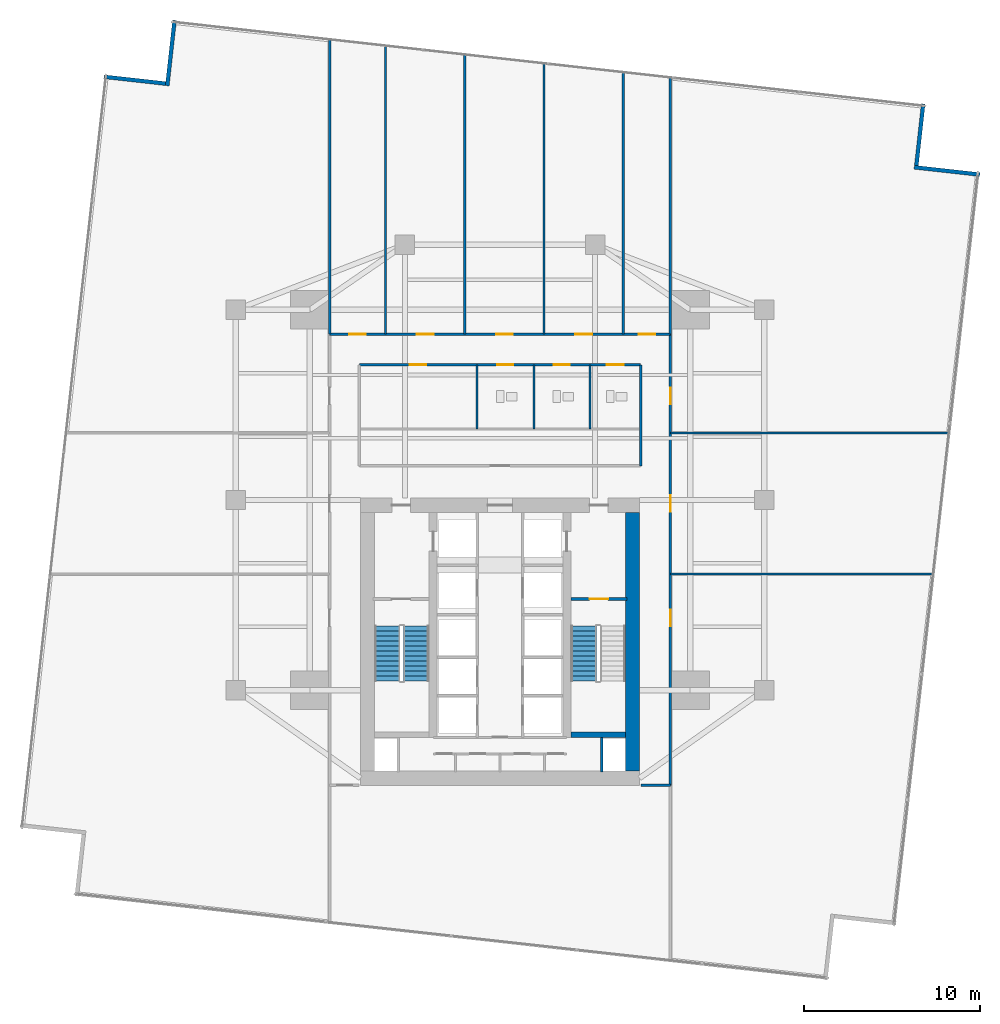
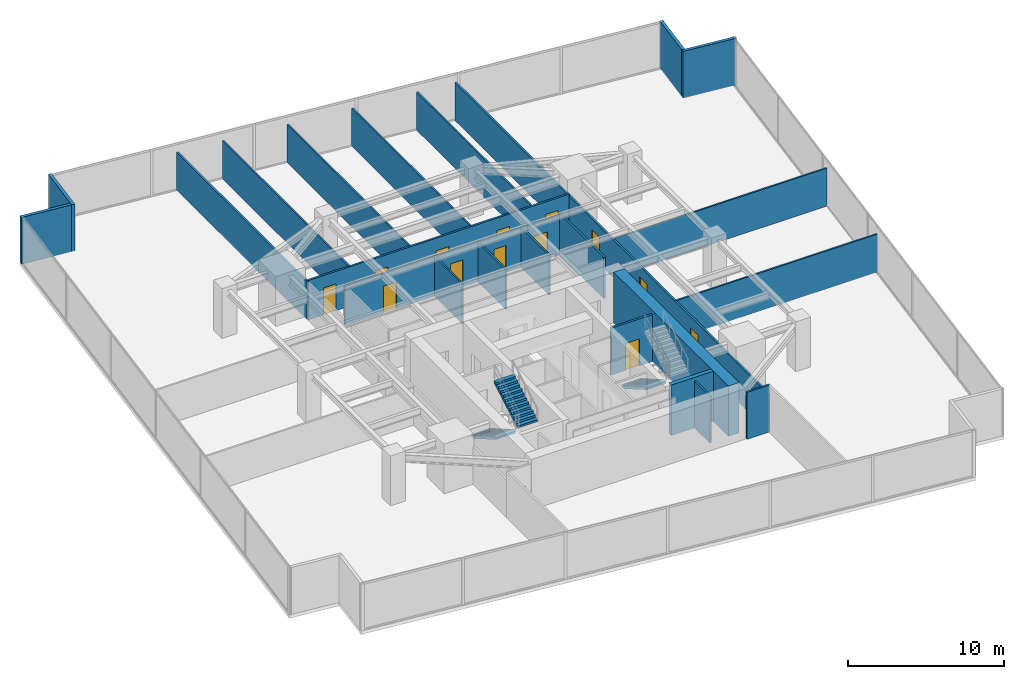
# One storey, part 26 of 31: 24 walls, 13 doors, 3 stair flights, 13 openings, 2 elements without a shape of their own.
"""IFC4 building model written with IfcOpenShell, lengths in metres."""

from ifc_helpers import new_model, si_unit, direction, frame, frame_2d, origin, place, context, subcontext, project, spatial, polyline, rectangle, outline, extrude, material, layer, layer_set, type_object, element, fill, aggregate, save


model = new_model("IFC4")

# Units and contexts
model_context = context("Model", 3, precision=1e-05, world=origin(), true_north=direction((0.0, 1.0)))
body_context = subcontext(model_context, "Body", "Model", "MODEL_VIEW")
ifc_project = project(units=[si_unit("LENGTHUNIT", "METRE"), si_unit("AREAUNIT", "SQUARE_METRE"), si_unit("VOLUMEUNIT", "CUBIC_METRE"), si_unit("PLANEANGLEUNIT", "RADIAN"), si_unit("MASSUNIT", "GRAM", prefix="KILO")], contexts=[model_context])

# Site, building, storey
site_placement = place(None, origin())
site = spatial("IfcSite", under=ifc_project, at=site_placement, CompositionType="ELEMENT")
building_placement = place(site_placement, origin())
building = spatial("IfcBuilding", under=site, at=building_placement, Name="Krantzveldt Concourse Tower", CompositionType="ELEMENT")
storey_placement = place(building_placement, frame((0.0, 0.0, 56.60009765625)))
storey = spatial("IfcBuildingStorey", under=building, at=storey_placement, Name="L13", CompositionType="ELEMENT", Elevation=56.60009765625)

# Walls
ifc_material_1 = material(Name="Anodised aluminium 6063-T6", Category="aluminium")
ifc_layer_1 = layer(ifc_material_1, 0.219970703125, Name="Anodised aluminium 6063-T6", Category="aluminium")
ifc_layer_set_1 = layer_set([ifc_layer_1], Name="Anodised aluminium 6063-T6 (WL-EXT-NOTCH220)")
wall_type_1 = type_object("IfcWallType", Name="WL-EXT-NOTCH220", PredefinedType="ELEMENTEDWALL", material=ifc_layer_set_1)
wall_1_placement = place(storey_placement, frame((17.008056640625, 50.344970703125, 0.0), z_axis=(0.0, 0.0, 1.0), x_axis=(-0.993817675948, 0.111024443135, 0.0)))
element("IfcWall", 1, at=wall_1_placement, inside=storey, type_object=wall_type_1, Name="EW-L13-NCH00", PredefinedType="ELEMENTEDWALL", context=body_context, shape_type="SweptSolid", body=[
    extrude(rectangle(XDim=3.52490234375, YDim=0.219970703125, at=frame_2d((1.762451171875, 0.0))), origin(), (0.0, 0.0, 1.0), 3.669921875),
])
wall_2_placement = place(storey_placement, frame((63.245361328125, 45.178955078125, 0.0), z_axis=(0.0, 0.0, 1.0), x_axis=(-0.99381117716, 0.111082600583, 0.0)))
element("IfcWall", 2, at=wall_2_placement, inside=storey, type_object=wall_type_1, Name="EW-L13-NCH08", PredefinedType="ELEMENTEDWALL", context=body_context, shape_type="SweptSolid", body=[
    extrude(rectangle(XDim=3.7451171875, YDim=0.219970703125, at=frame_2d((1.87255859375, 0.0))), origin(), (0.0, 0.0, 1.0), 3.669921875),
])
wall_3_placement = place(storey_placement, frame((59.64501953125, 45.69189453125, 0.0), z_axis=(0.0, 0.0, 1.0), x_axis=(0.111016801598, 0.993818529593, 0.0)))
element("IfcWall", 3, at=wall_3_placement, inside=storey, type_object=wall_type_1, Name="EW-L13-NCH09", PredefinedType="ELEMENTEDWALL", context=body_context, shape_type="SweptSolid", body=[
    extrude(rectangle(XDim=3.525146484375, YDim=0.219970703125, at=frame_2d((1.7626953125, 0.0))), origin(), (0.0, 0.0, 1.0), 3.669921875),
])
wall_4_placement = place(storey_placement, frame((17.52099609375, 53.9453125, 0.0), z_axis=(0.0, 0.0, 1.0), x_axis=(-0.111082600583, -0.99381117716, 0.0)))
element("IfcWall", 4, at=wall_4_placement, inside=storey, type_object=wall_type_1, Name="EW-L13-NCH11", PredefinedType="ELEMENTEDWALL", context=body_context, shape_type="SweptSolid", body=[
    extrude(rectangle(XDim=3.7451171875, YDim=0.219970703125, at=frame_2d((1.87255859375, 0.0))), origin(), (0.0, 0.0, 1.0), 3.669921875),
])
ifc_material_2 = material(Name="Fire-rated gypsum plasterboard on steel stud", Category="steel")
ifc_layer_2 = layer(ifc_material_2, 0.1201171875, Name="Fire-rated gypsum plasterboard on steel stud", Category="steel")
ifc_layer_set_2 = layer_set([ifc_layer_2], Name="Fire-rated gypsum plasterboard on steel stud (WL-PART-120)")
wall_type_2 = type_object("IfcWallType", Name="WL-PART-120", PredefinedType="PARTITIONING", material=ifc_layer_set_2)
for number, where, z_axis, x_axis, name in (
    (5, (37.919921875, 30.739990234375, 0.0), (0.0, 0.0, 1.0), (0.0, 1.0, 0.0), "WP-L13-WCD1"),
    (6, (41.1201171875, 30.739990234375, 0.0), (0.0, 0.0, 1.0), (0.0, 1.0, 0.0), "WP-L13-WCD2"),
    (7, (34.699951171875, 30.739990234375, 0.0), (0.0, 0.0, 1.0), (0.0, 1.0, 0.0), "WP-L13-WCD3"),
):
    element("IfcWall", number, at=place(storey_placement, frame(where, z_axis=z_axis, x_axis=x_axis)), inside=storey, type_object=wall_type_2, Name=name, PredefinedType="PARTITIONING", context=body_context, shape_type="SweptSolid", body=[
        extrude(rectangle(XDim=3.639892578125, YDim=0.1201171875, at=frame_2d((1.81982421875, 0.0))), origin(), (0.0, 0.0, 1.0), 3.119873046875),
    ])
wall_5_placement = place(storey_placement, frame((29.5, 36.1201171875, 0.0), z_axis=(0.0, 0.0, 1.0), x_axis=(0.0, 1.0, 0.0)))
element("IfcWall", 8, at=wall_5_placement, inside=storey, type_object=wall_type_2, Name="WP-L13-ND1", PredefinedType="PARTITIONING", context=body_context, shape_type="SweptSolid", body=[
    extrude(rectangle(XDim=16.37109375, YDim=0.1201171875, at=frame_2d((8.185546875, 0.0))), origin(), (0.0, 0.0, 1.0), 2.969970703125),
])
wall_6_placement = place(storey_placement, frame((34.0, 36.1201171875, 0.0), z_axis=(0.0, 0.0, 1.0), x_axis=(0.0, 1.0, 0.0)))
element("IfcWall", 9, at=wall_6_placement, inside=storey, type_object=wall_type_2, Name="WP-L13-ND2", PredefinedType="PARTITIONING", context=body_context, shape_type="SweptSolid", body=[
    extrude(rectangle(XDim=15.8681640625, YDim=0.1201171875, at=frame_2d((7.93408203125, 0.0))), origin(), (0.0, 0.0, 1.0), 2.969970703125),
])
wall_7_placement = place(storey_placement, frame((38.5, 36.1201171875, 0.0), z_axis=(0.0, 0.0, 1.0), x_axis=(0.0, 1.0, 0.0)))
element("IfcWall", 10, at=wall_7_placement, inside=storey, type_object=wall_type_2, Name="WP-L13-ND3", PredefinedType="PARTITIONING", context=body_context, shape_type="SweptSolid", body=[
    extrude(rectangle(XDim=15.365478515625, YDim=0.1201171875, at=frame_2d((7.6826171875, 0.0))), origin(), (0.0, 0.0, 1.0), 2.969970703125),
])
wall_8_placement = place(storey_placement, frame((43.0, 36.1201171875, 0.0), z_axis=(0.0, 0.0, 1.0), x_axis=(0.0, 1.0, 0.0)))
element("IfcWall", 11, at=wall_8_placement, inside=storey, type_object=wall_type_2, Name="WP-L13-ND4", PredefinedType="PARTITIONING", context=body_context, shape_type="SweptSolid", body=[
    extrude(rectangle(XDim=14.86279296875, YDim=0.1201171875, at=frame_2d((7.431396484375, 0.0))), origin(), (0.0, 0.0, 1.0), 2.969970703125),
])
wall_9_placement = place(storey_placement, frame((45.679931640625, 22.5, 0.0), z_axis=(0.0, 0.0, 1.0), x_axis=(1.0, 0.0, 0.0)))
element("IfcWall", 12, at=wall_9_placement, inside=storey, type_object=wall_type_2, Name="WP-L13-ED1", PredefinedType="PARTITIONING", context=body_context, shape_type="SweptSolid", body=[
    extrude(rectangle(XDim=14.915771484375, YDim=0.1201171875, at=frame_2d((7.4580078125, 0.0))), origin(), (0.0, 0.0, 1.0), 2.969970703125),
])
wall_10_placement = place(storey_placement, frame((45.679931640625, 30.5, 0.0), z_axis=(0.0, 0.0, 1.0), x_axis=(1.0, 0.0, 0.0)))
element("IfcWall", 13, at=wall_10_placement, inside=storey, type_object=wall_type_2, Name="WP-L13-ED2", PredefinedType="PARTITIONING", context=body_context, shape_type="SweptSolid", body=[
    extrude(rectangle(XDim=15.8095703125, YDim=0.1201171875, at=frame_2d((7.90478515625, 0.0))), origin(), (0.0, 0.0, 1.0), 2.969970703125),
])

# Wall, openings, doors
ifc_layer_3 = layer(ifc_material_2, 0.139892578125, Name="Fire-rated gypsum plasterboard on steel stud", Category="steel")
ifc_layer_set_3 = layer_set([ifc_layer_3], Name="Fire-rated gypsum plasterboard on steel stud (WL-PART-140)")
wall_type_3 = type_object("IfcWallType", Name="WL-PART-140", PredefinedType="PARTITIONING", material=ifc_layer_set_3)
wall_11_placement = place(storey_placement, frame((28.02001953125, 34.3798828125, 0.0), z_axis=(0.0, 0.0, 1.0), x_axis=(1.0, 0.0, 0.0)))
wall_11 = element("IfcWall", 14, at=wall_11_placement, inside=storey, type_object=wall_type_3, Name="WP-L13-ISLN", PredefinedType="PARTITIONING", context=body_context, shape_type="SweptSolid", body=[
    extrude(rectangle(XDim=15.9599609375, YDim=0.139892578125, at=frame_2d((7.97998046875, 0.0))), origin(), (0.0, 0.0, 1.0), 3.079833984375),
])
opening_1_placement = place(wall_11_placement, frame((7.830078125, 0.0, 0.0)))
opening_1 = element("IfcOpeningElement", 15, at=opening_1_placement, cuts=wall_11, Name="Opening D-IN090", PredefinedType="OPENING", context=body_context, shape_type="SweptSolid", body=[
    extrude(rectangle(XDim=0.89990234375, YDim=2.10009765625, at=frame_2d((0.449951171875, 1.050048828125))), frame((0.0, 0.080078125, 0.0), z_axis=(0.0, -1.0, 0.0), x_axis=(1.0, 0.0, 0.0)), (0.0, 0.0, 1.0), 0.159912109375),
])
opening_2_placement = place(wall_11_placement, frame((11.030029296875, 0.0, 0.0)))
opening_2 = element("IfcOpeningElement", 16, at=opening_2_placement, cuts=wall_11, Name="Opening D-IN090", PredefinedType="OPENING", context=body_context, shape_type="SweptSolid", body=[
    extrude(rectangle(XDim=0.89990234375, YDim=2.10009765625, at=frame_2d((0.449951171875, 1.050048828125))), frame((0.0, 0.080078125, 0.0), z_axis=(0.0, -1.0, 0.0), x_axis=(1.0, 0.0, 0.0)), (0.0, 0.0, 1.0), 0.159912109375),
])
opening_3_placement = place(wall_11_placement, frame((14.054931640625, 0.0, 0.0)))
opening_3 = element("IfcOpeningElement", 17, at=opening_3_placement, cuts=wall_11, Name="Opening D-IN095", PredefinedType="OPENING", context=body_context, shape_type="SweptSolid", body=[
    extrude(rectangle(XDim=0.949951171875, YDim=2.10009765625, at=frame_2d((0.47509765625, 1.050048828125))), frame((0.0, 0.080078125, 0.0), z_axis=(0.0, -1.0, 0.0), x_axis=(1.0, 0.0, 0.0)), (0.0, 0.0, 1.0), 0.159912109375),
])
opening_4_placement = place(wall_11_placement, frame((2.85498046875, 0.0, 0.0)))
opening_4 = element("IfcOpeningElement", 18, at=opening_4_placement, cuts=wall_11, Name="Opening D-IN095", PredefinedType="OPENING", context=body_context, shape_type="SweptSolid", body=[
    extrude(rectangle(XDim=0.949951171875, YDim=2.10009765625, at=frame_2d((0.47509765625, 1.050048828125))), frame((0.0, 0.080078125, 0.0), z_axis=(0.0, -1.0, 0.0), x_axis=(1.0, 0.0, 0.0)), (0.0, 0.0, 1.0), 0.159912109375),
])
ifc_material_3 = material(Name="Hardwood timber", Category="wood")
door_type_1 = type_object("IfcDoorType", Name="DR-INT-900", OperationType="SINGLE_SWING_LEFT", PredefinedType="DOOR", material=ifc_material_3)
door_1_placement = place(opening_1_placement, origin())
door_1 = element("IfcDoor", 19, at=door_1_placement, inside=storey, type_object=door_type_1, Name="DR-L13-WCM", OperationType="SINGLE_SWING_LEFT", OverallHeight=2.10009765625, OverallWidth=0.89990234375, PredefinedType="DOOR", context=body_context, shape_type="SweptSolid", body=[
    extrude(rectangle(XDim=0.89990234375, YDim=2.10009765625, at=frame_2d((0.449951171875, 1.050048828125))), frame((0.0, 0.02490234375, 0.0), z_axis=(0.0, -1.0, 0.0), x_axis=(1.0, 0.0, 0.0)), (0.0, 0.0, 1.0), 0.050048828125),
])
fill(opening_1, door_1)
door_2_placement = place(opening_2_placement, origin())
door_2 = element("IfcDoor", 20, at=door_2_placement, inside=storey, type_object=door_type_1, Name="DR-L13-WCF", OperationType="SINGLE_SWING_RIGHT", OverallHeight=2.10009765625, OverallWidth=0.89990234375, PredefinedType="DOOR", context=body_context, shape_type="SweptSolid", body=[
    extrude(rectangle(XDim=0.89990234375, YDim=2.10009765625, at=frame_2d((0.449951171875, 1.050048828125))), frame((0.0, 0.02490234375, 0.0), z_axis=(0.0, -1.0, 0.0), x_axis=(1.0, 0.0, 0.0)), (0.0, 0.0, 1.0), 0.050048828125),
])
fill(opening_2, door_2)
door_type_2 = type_object("IfcDoorType", Name="DR-INT-950", OperationType="SINGLE_SWING_LEFT", PredefinedType="DOOR", material=ifc_material_3)
door_3_placement = place(opening_3_placement, origin())
door_3 = element("IfcDoor", 21, at=door_3_placement, inside=storey, type_object=door_type_2, Name="DR-L13-WCA", OperationType="SINGLE_SWING_LEFT", OverallHeight=2.10009765625, OverallWidth=0.949951171875, PredefinedType="DOOR", context=body_context, shape_type="SweptSolid", body=[
    extrude(rectangle(XDim=0.949951171875, YDim=2.10009765625, at=frame_2d((0.47509765625, 1.050048828125))), frame((0.0, 0.02490234375, 0.0), z_axis=(0.0, -1.0, 0.0), x_axis=(1.0, 0.0, 0.0)), (0.0, 0.0, 1.0), 0.050048828125),
])
fill(opening_3, door_3)
door_4_placement = place(opening_4_placement, origin())
door_4 = element("IfcDoor", 22, at=door_4_placement, inside=storey, type_object=door_type_2, Name="DR-L13-PNT", OperationType="SINGLE_SWING_RIGHT", OverallHeight=2.10009765625, OverallWidth=0.949951171875, PredefinedType="DOOR", context=body_context, shape_type="SweptSolid", body=[
    extrude(rectangle(XDim=0.949951171875, YDim=2.10009765625, at=frame_2d((0.47509765625, 1.050048828125))), frame((0.0, 0.02490234375, 0.0), z_axis=(0.0, -1.0, 0.0), x_axis=(1.0, 0.0, 0.0)), (0.0, 0.0, 1.0), 0.050048828125),
])
fill(opening_4, door_4)

# Wall
wall_12_placement = place(storey_placement, frame((43.97998046875, 28.639892578125, 0.0), z_axis=(0.0, 0.0, 1.0), x_axis=(0.0, 1.0, 0.0)))
element("IfcWall", 23, at=wall_12_placement, inside=storey, type_object=wall_type_3, Name="WP-L13-ISLE", PredefinedType="PARTITIONING", context=body_context, shape_type="SweptSolid", body=[
    extrude(rectangle(XDim=5.739990234375, YDim=0.139892578125, at=frame_2d((2.8701171875, 0.0))), origin(), (0.0, 0.0, 1.0), 3.219970703125),
])

# Wall, openings, doors
wall_13_placement = place(storey_placement, frame((26.320068359375, 36.1201171875, 0.0), z_axis=(0.0, 0.0, 1.0), x_axis=(1.0, 0.0, 0.0)))
wall_13 = element("IfcWall", 24, at=wall_13_placement, inside=storey, type_object=wall_type_3, Name="WP-L13-CTOP", PredefinedType="PARTITIONING", context=body_context, shape_type="SweptSolid", body=[
    extrude(rectangle(XDim=19.35986328125, YDim=0.139892578125, at=frame_2d((9.679931640625, 0.0))), origin(), (0.0, 0.0, 1.0), 3.079833984375),
])
opening_5_placement = place(wall_13_placement, frame((1.114990234375, 0.0, 0.0)))
opening_5 = element("IfcOpeningElement", 25, at=opening_5_placement, cuts=wall_13, Name="Opening D-IN095", PredefinedType="OPENING", context=body_context, shape_type="SweptSolid", body=[
    extrude(rectangle(XDim=0.949951171875, YDim=2.10009765625, at=frame_2d((0.47509765625, 1.050048828125))), frame((0.0, 0.080078125, 0.0), z_axis=(0.0, -1.0, 0.0), x_axis=(1.0, 0.0, 0.0)), (0.0, 0.0, 1.0), 0.159912109375),
])
opening_6_placement = place(wall_13_placement, frame((4.955078125, 0.0, 0.0)))
opening_6 = element("IfcOpeningElement", 26, at=opening_6_placement, cuts=wall_13, Name="Opening D-IN095", PredefinedType="OPENING", context=body_context, shape_type="SweptSolid", body=[
    extrude(rectangle(XDim=0.949951171875, YDim=2.10009765625, at=frame_2d((0.47509765625, 1.050048828125))), frame((0.0, 0.080078125, 0.0), z_axis=(0.0, -1.0, 0.0), x_axis=(1.0, 0.0, 0.0)), (0.0, 0.0, 1.0), 0.159912109375),
])
opening_7_placement = place(wall_13_placement, frame((9.455078125, 0.0, 0.0)))
opening_7 = element("IfcOpeningElement", 27, at=opening_7_placement, cuts=wall_13, Name="Opening D-IN095", PredefinedType="OPENING", context=body_context, shape_type="SweptSolid", body=[
    extrude(rectangle(XDim=0.949951171875, YDim=2.10009765625, at=frame_2d((0.47509765625, 1.050048828125))), frame((0.0, 0.080078125, 0.0), z_axis=(0.0, -1.0, 0.0), x_axis=(1.0, 0.0, 0.0)), (0.0, 0.0, 1.0), 0.159912109375),
])
opening_8_placement = place(wall_13_placement, frame((13.955078125, 0.0, 0.0)))
opening_8 = element("IfcOpeningElement", 28, at=opening_8_placement, cuts=wall_13, Name="Opening D-IN095", PredefinedType="OPENING", context=body_context, shape_type="SweptSolid", body=[
    extrude(rectangle(XDim=0.949951171875, YDim=2.10009765625, at=frame_2d((0.47509765625, 1.050048828125))), frame((0.0, 0.080078125, 0.0), z_axis=(0.0, -1.0, 0.0), x_axis=(1.0, 0.0, 0.0)), (0.0, 0.0, 1.0), 0.159912109375),
])
opening_9_placement = place(wall_13_placement, frame((17.544921875, 0.0, 0.0)))
opening_9 = element("IfcOpeningElement", 29, at=opening_9_placement, cuts=wall_13, Name="Opening D-IN095", PredefinedType="OPENING", context=body_context, shape_type="SweptSolid", body=[
    extrude(rectangle(XDim=0.949951171875, YDim=2.10009765625, at=frame_2d((0.47509765625, 1.050048828125))), frame((0.0, 0.080078125, 0.0), z_axis=(0.0, -1.0, 0.0), x_axis=(1.0, 0.0, 0.0)), (0.0, 0.0, 1.0), 0.159912109375),
])
door_5_placement = place(opening_5_placement, origin())
door_5 = element("IfcDoor", 30, at=door_5_placement, inside=storey, type_object=door_type_2, Name="DR-L13-NR1", OperationType="SINGLE_SWING_LEFT", OverallHeight=2.10009765625, OverallWidth=0.949951171875, PredefinedType="DOOR", context=body_context, shape_type="SweptSolid", body=[
    extrude(rectangle(XDim=0.949951171875, YDim=2.10009765625, at=frame_2d((0.47509765625, 1.050048828125))), frame((0.0, 0.02490234375, 0.0), z_axis=(0.0, -1.0, 0.0), x_axis=(1.0, 0.0, 0.0)), (0.0, 0.0, 1.0), 0.050048828125),
])
fill(opening_5, door_5)
door_6_placement = place(opening_6_placement, origin())
door_6 = element("IfcDoor", 31, at=door_6_placement, inside=storey, type_object=door_type_2, Name="DR-L13-NR2", OperationType="SINGLE_SWING_LEFT", OverallHeight=2.10009765625, OverallWidth=0.949951171875, PredefinedType="DOOR", context=body_context, shape_type="SweptSolid", body=[
    extrude(rectangle(XDim=0.949951171875, YDim=2.10009765625, at=frame_2d((0.47509765625, 1.050048828125))), frame((0.0, 0.02490234375, 0.0), z_axis=(0.0, -1.0, 0.0), x_axis=(1.0, 0.0, 0.0)), (0.0, 0.0, 1.0), 0.050048828125),
])
fill(opening_6, door_6)
door_7_placement = place(opening_7_placement, origin())
door_7 = element("IfcDoor", 32, at=door_7_placement, inside=storey, type_object=door_type_2, Name="DR-L13-NR3", OperationType="SINGLE_SWING_LEFT", OverallHeight=2.10009765625, OverallWidth=0.949951171875, PredefinedType="DOOR", context=body_context, shape_type="SweptSolid", body=[
    extrude(rectangle(XDim=0.949951171875, YDim=2.10009765625, at=frame_2d((0.47509765625, 1.050048828125))), frame((0.0, 0.02490234375, 0.0), z_axis=(0.0, -1.0, 0.0), x_axis=(1.0, 0.0, 0.0)), (0.0, 0.0, 1.0), 0.050048828125),
])
fill(opening_7, door_7)
door_8_placement = place(opening_8_placement, origin())
door_8 = element("IfcDoor", 33, at=door_8_placement, inside=storey, type_object=door_type_2, Name="DR-L13-NR4", OperationType="SINGLE_SWING_LEFT", OverallHeight=2.10009765625, OverallWidth=0.949951171875, PredefinedType="DOOR", context=body_context, shape_type="SweptSolid", body=[
    extrude(rectangle(XDim=0.949951171875, YDim=2.10009765625, at=frame_2d((0.47509765625, 1.050048828125))), frame((0.0, 0.02490234375, 0.0), z_axis=(0.0, -1.0, 0.0), x_axis=(1.0, 0.0, 0.0)), (0.0, 0.0, 1.0), 0.050048828125),
])
fill(opening_8, door_8)
door_9_placement = place(opening_9_placement, origin())
door_9 = element("IfcDoor", 34, at=door_9_placement, inside=storey, type_object=door_type_2, Name="DR-L13-NR5", OperationType="SINGLE_SWING_LEFT", OverallHeight=2.10009765625, OverallWidth=0.949951171875, PredefinedType="DOOR", context=body_context, shape_type="SweptSolid", body=[
    extrude(rectangle(XDim=0.949951171875, YDim=2.10009765625, at=frame_2d((0.47509765625, 1.050048828125))), frame((0.0, 0.02490234375, 0.0), z_axis=(0.0, -1.0, 0.0), x_axis=(1.0, 0.0, 0.0)), (0.0, 0.0, 1.0), 0.050048828125),
])
fill(opening_9, door_9)

wall_14_placement = place(storey_placement, frame((45.679931640625, 10.5, 0.0), z_axis=(0.0, 0.0, 1.0), x_axis=(0.0, 1.0, 0.0)))
wall_14 = element("IfcWall", 35, at=wall_14_placement, inside=storey, type_object=wall_type_3, Name="WP-L13-CEAST", PredefinedType="PARTITIONING", context=body_context, shape_type="SweptSolid", body=[
    extrude(rectangle(XDim=25.6201171875, YDim=0.139892578125, at=frame_2d((12.81005859375, 0.0))), origin(), (0.0, 0.0, 1.0), 2.969970703125),
])
opening_10_placement = place(wall_14_placement, frame((9.02490234375, 0.0, 0.0)))
opening_10 = element("IfcOpeningElement", 36, at=opening_10_placement, cuts=wall_14, Name="Opening D-IN095", PredefinedType="OPENING", context=body_context, shape_type="SweptSolid", body=[
    extrude(rectangle(XDim=0.949951171875, YDim=2.10009765625, at=frame_2d((0.47509765625, 1.050048828125))), frame((0.0, 0.080078125, 0.0), z_axis=(0.0, -1.0, 0.0), x_axis=(1.0, 0.0, 0.0)), (0.0, 0.0, 1.0), 0.159912109375),
])
opening_11_placement = place(wall_14_placement, frame((15.52490234375, 0.0, 0.0)))
opening_11 = element("IfcOpeningElement", 37, at=opening_11_placement, cuts=wall_14, Name="Opening D-IN095", PredefinedType="OPENING", context=body_context, shape_type="SweptSolid", body=[
    extrude(rectangle(XDim=0.949951171875, YDim=2.10009765625, at=frame_2d((0.47509765625, 1.050048828125))), frame((0.0, 0.080078125, 0.0), z_axis=(0.0, -1.0, 0.0), x_axis=(1.0, 0.0, 0.0)), (0.0, 0.0, 1.0), 0.159912109375),
])
opening_12_placement = place(wall_14_placement, frame((21.625, 0.0, 0.0)))
opening_12 = element("IfcOpeningElement", 38, at=opening_12_placement, cuts=wall_14, Name="Opening D-IN095", PredefinedType="OPENING", context=body_context, shape_type="SweptSolid", body=[
    extrude(rectangle(XDim=0.949951171875, YDim=2.10009765625, at=frame_2d((0.47509765625, 1.050048828125))), frame((0.0, 0.080078125, 0.0), z_axis=(0.0, -1.0, 0.0), x_axis=(1.0, 0.0, 0.0)), (0.0, 0.0, 1.0), 0.159912109375),
])
door_10_placement = place(opening_10_placement, origin())
door_10 = element("IfcDoor", 39, at=door_10_placement, inside=storey, type_object=door_type_2, Name="DR-L13-ER1", OperationType="SINGLE_SWING_LEFT", OverallHeight=2.10009765625, OverallWidth=0.949951171875, PredefinedType="DOOR", context=body_context, shape_type="SweptSolid", body=[
    extrude(rectangle(XDim=0.949951171875, YDim=2.10009765625, at=frame_2d((0.47509765625, 1.050048828125))), frame((0.0, 0.02490234375, 0.0), z_axis=(0.0, -1.0, 0.0), x_axis=(1.0, 0.0, 0.0)), (0.0, 0.0, 1.0), 0.050048828125),
])
fill(opening_10, door_10)
door_11_placement = place(opening_11_placement, origin())
door_11 = element("IfcDoor", 40, at=door_11_placement, inside=storey, type_object=door_type_2, Name="DR-L13-ER2", OperationType="SINGLE_SWING_LEFT", OverallHeight=2.10009765625, OverallWidth=0.949951171875, PredefinedType="DOOR", context=body_context, shape_type="SweptSolid", body=[
    extrude(rectangle(XDim=0.949951171875, YDim=2.10009765625, at=frame_2d((0.47509765625, 1.050048828125))), frame((0.0, 0.02490234375, 0.0), z_axis=(0.0, -1.0, 0.0), x_axis=(1.0, 0.0, 0.0)), (0.0, 0.0, 1.0), 0.050048828125),
])
fill(opening_11, door_11)
door_12_placement = place(opening_12_placement, origin())
door_12 = element("IfcDoor", 41, at=door_12_placement, inside=storey, type_object=door_type_2, Name="DR-L13-ER3", OperationType="SINGLE_SWING_LEFT", OverallHeight=2.10009765625, OverallWidth=0.949951171875, PredefinedType="DOOR", context=body_context, shape_type="SweptSolid", body=[
    extrude(rectangle(XDim=0.949951171875, YDim=2.10009765625, at=frame_2d((0.47509765625, 1.050048828125))), frame((0.0, 0.02490234375, 0.0), z_axis=(0.0, -1.0, 0.0), x_axis=(1.0, 0.0, 0.0)), (0.0, 0.0, 1.0), 0.050048828125),
])
fill(opening_12, door_12)

# Walls
wall_15_placement = place(storey_placement, frame((44.0, 10.5, 0.0), z_axis=(0.0, 0.0, 1.0), x_axis=(1.0, 0.0, 0.0)))
element("IfcWall", 42, at=wall_15_placement, inside=storey, type_object=wall_type_3, Name="WP-L13-CEBOT", PredefinedType="PARTITIONING", context=body_context, shape_type="SweptSolid", body=[
    extrude(rectangle(XDim=1.679931640625, YDim=0.139892578125, at=frame_2d((0.83984375, 0.0))), origin(), (0.0, 0.0, 1.0), 3.669921875),
])
wall_16_placement = place(storey_placement, frame((26.320068359375, 36.1201171875, 0.0), z_axis=(0.0, 0.0, 1.0), x_axis=(0.0, 1.0, 0.0)))
element("IfcWall", 43, at=wall_16_placement, inside=storey, type_object=wall_type_3, Name="WP-L13-NWL", PredefinedType="PARTITIONING", context=body_context, shape_type="SweptSolid", body=[
    extrude(rectangle(XDim=16.726318359375, YDim=0.139892578125, at=frame_2d((8.36328125, 0.0))), origin(), (0.0, 0.0, 1.0), 2.969970703125),
])
wall_17_placement = place(storey_placement, frame((45.679931640625, 36.1201171875, 0.0), z_axis=(0.0, 0.0, 1.0), x_axis=(0.0, 1.0, 0.0)))
element("IfcWall", 44, at=wall_17_placement, inside=storey, type_object=wall_type_3, Name="WP-L13-NER", PredefinedType="PARTITIONING", context=body_context, shape_type="SweptSolid", body=[
    extrude(rectangle(XDim=14.5634765625, YDim=0.139892578125, at=frame_2d((7.28173828125, 0.0))), origin(), (0.0, 0.0, 1.0), 2.969970703125),
])
ifc_layer_4 = layer(ifc_material_2, 0.139892578125, Name="Fire-rated gypsum plasterboard on steel stud", Category="steel")
ifc_layer_set_4 = layer_set([ifc_layer_4], Name="Fire-rated gypsum plasterboard on steel stud (WL-PART-FR140)")
wall_type_4 = type_object("IfcWallType", Name="WL-PART-FR140", PredefinedType="PARTITIONING", material=ifc_layer_set_4)
wall_18_placement = place(storey_placement, frame((41.780029296875, 11.25, 0.0), z_axis=(0.0, 0.0, 1.0), x_axis=(0.0, 1.0, 0.0)))
element("IfcWall", 45, at=wall_18_placement, inside=storey, type_object=wall_type_4, Name="WP-L13-RSE", PredefinedType="PARTITIONING", context=body_context, shape_type="SweptSolid", body=[
    extrude(rectangle(XDim=1.969970703125, YDim=0.1201171875, at=frame_2d((0.98486328125, 0.0))), origin(), (0.0, 0.0, 1.0), 3.669921875),
])

# Wall, opening, door
ifc_layer_5 = layer(ifc_material_2, 0.159912109375, Name="Fire-rated gypsum plasterboard on steel stud", Category="steel")
ifc_layer_set_5 = layer_set([ifc_layer_5], Name="Fire-rated gypsum plasterboard on steel stud (WL-PART-FR160)")
wall_type_5 = type_object("IfcWallType", Name="WL-PART-FR160", PredefinedType="PARTITIONING", material=ifc_layer_set_5)
wall_19_placement = place(storey_placement, frame((40.0400390625, 21.080078125, 0.0), z_axis=(0.0, 0.0, 1.0), x_axis=(1.0, 0.0, 0.0)))
wall_19 = element("IfcWall", 46, at=wall_19_placement, inside=storey, type_object=wall_type_5, Name="WP-L13-ST2", PredefinedType="PARTITIONING", context=body_context, shape_type="SweptSolid", body=[
    extrude(rectangle(XDim=3.159912109375, YDim=0.159912109375, at=frame_2d((1.580078125, 0.0))), origin(), (0.0, 0.0, 1.0), 3.669921875),
])
opening_13_placement = place(wall_19_placement, frame((1.054931640625, 0.0, 0.0)))
opening_13 = element("IfcOpeningElement", 47, at=opening_13_placement, cuts=wall_19, Name="Opening D-FD105", PredefinedType="OPENING", context=body_context, shape_type="SweptSolid", body=[
    extrude(rectangle(XDim=1.050048828125, YDim=2.10009765625, at=frame_2d((0.52490234375, 1.050048828125))), frame((0.0, 0.08984375, 0.0), z_axis=(0.0, -1.0, 0.0), x_axis=(1.0, 0.0, 0.0)), (0.0, 0.0, 1.0), 0.179931640625),
])
ifc_material_4 = material(Name="Galvanised steel", Category="steel")
door_type_3 = type_object("IfcDoorType", Name="DR-FD120-1050", OperationType="SINGLE_SWING_LEFT", PredefinedType="DOOR", material=ifc_material_4)
door_13_placement = place(opening_13_placement, origin())
door_13 = element("IfcDoor", 48, at=door_13_placement, inside=storey, type_object=door_type_3, Name="DR-L13-ST2", OperationType="SINGLE_SWING_LEFT", OverallHeight=2.10009765625, OverallWidth=1.050048828125, PredefinedType="DOOR", context=body_context, shape_type="SweptSolid", body=[
    extrude(rectangle(XDim=1.050048828125, YDim=2.10009765625, at=frame_2d((0.52490234375, 1.050048828125))), frame((0.0, 0.02490234375, 0.0), z_axis=(0.0, -1.0, 0.0), x_axis=(1.0, 0.0, 0.0)), (0.0, 0.0, 1.0), 0.050048828125),
])
fill(opening_13, door_13)

# Walls
ifc_material_5 = material(Name="Concrete C50/60", Category="concrete")
ifc_layer_6 = layer(ifc_material_5, 0.300048828125, Name="Concrete C50/60", Category="concrete")
ifc_layer_set_6 = layer_set([ifc_layer_6], Name="Concrete C50/60 (WL-SHEAR-300)")
wall_type_6 = type_object("IfcWallType", Name="WL-SHEAR-300", PredefinedType="SHEAR", material=ifc_layer_set_6)
wall_20_placement = place(storey_placement, frame((40.02001953125, 13.3701171875, 0.0), z_axis=(0.0, 0.0, 1.0), x_axis=(1.0, 0.0, 0.0)))
element("IfcWall", 49, at=wall_20_placement, inside=storey, type_object=wall_type_6, Name="CW-L13-ST2S", PredefinedType="SHEAR", context=body_context, shape_type="SweptSolid", body=[
    extrude(rectangle(XDim=3.10009765625, YDim=0.300048828125, at=frame_2d((1.550048828125, 0.0))), origin(), (0.0, 0.0, 1.0), 3.949951171875),
])
ifc_material_6 = material(Name="Concrete C60/75", Category="concrete")
ifc_layer_7 = layer(ifc_material_6, 0.800048828125, Name="Concrete C60/75", Category="concrete")
ifc_layer_set_7 = layer_set([ifc_layer_7], Name="Concrete C60/75 (WL-SHEAR-800)")
wall_type_7 = type_object("IfcWallType", Name="WL-SHEAR-800", PredefinedType="SHEAR", material=ifc_layer_set_7)
wall_21_placement = place(storey_placement, frame((43.52001953125, 11.300048828125, 0.0), z_axis=(0.0, 0.0, 1.0), x_axis=(0.0, 1.0, 0.0)))
element("IfcWall", 50, at=wall_21_placement, inside=storey, type_object=wall_type_7, Name="CW-L13-E", PredefinedType="SHEAR", context=body_context, shape_type="SweptSolid", body=[
    extrude(rectangle(XDim=14.699951171875, YDim=0.800048828125, at=frame_2d((7.35009765625, 0.0))), origin(), (0.0, 0.0, 1.0), 3.949951171875),
])

# Stair, stair flights
ifc_material_7 = material(Name="Precast concrete C40/50", Category="concrete")
stair_type = type_object("IfcStairType", Name="STR-CORE-DOGLEG", PredefinedType="HALF_TURN_STAIR", material=ifc_material_7)
stair_1_placement = place(storey_placement, origin())
stair_1 = element("IfcStair", 51, at=stair_1_placement, inside=storey, type_object=stair_type, Name="L13 Protected Escape Stair ST-1", PredefinedType="HALF_TURN_STAIR")
stair_flight_type = type_object("IfcStairFlightType", Name="STF-CORE-1450", PredefinedType="STRAIGHT", material=ifc_material_7)
stair_flight_1_placement = place(storey_placement, frame((29.60498046875, 19.550048828125, 0.0), z_axis=(0.0, 0.0, 1.0), x_axis=(0.0, -1.0, 0.0)))
stair_flight_1 = element("IfcStairFlight", 52, at=stair_flight_1_placement, type_object=stair_flight_type, Name="ST-1 flight 1", NumberOfRisers=12, NumberOfTreads=11, PredefinedType="STRAIGHT", RiserHeight=0.164583333, TreadLength=0.285, context=body_context, shape_type="SweptSolid", body=[
    extrude(outline(polyline([(0.0, 0.0), (0.0, 0.16455078125), (0.284912109375, 0.16455078125), (0.284912109375, 0.3291015625), (0.570068359375, 0.3291015625), (0.570068359375, 0.49365234375), (0.85498046875, 0.49365234375), (0.85498046875, 0.658447265625), (1.139892578125, 0.658447265625), (1.139892578125, 0.822998046875), (1.425048828125, 0.822998046875), (1.425048828125, 0.987548828125), (1.7099609375, 0.987548828125), (1.7099609375, 1.152099609375), (1.9951171875, 1.152099609375), (1.9951171875, 1.316650390625), (2.280029296875, 1.316650390625), (2.280029296875, 1.481201171875), (2.56494140625, 1.481201171875), (2.56494140625, 1.645751953125), (2.85009765625, 1.645751953125), (2.85009765625, 1.810302734375), (3.135009765625, 1.810302734375), (3.135009765625, 1.97509765625), (3.135009765625, 1.63720703125), (0.2998046875, 0.0), (0.0, 0.0)])), frame((0.0, 0.72509765625, 0.0), z_axis=(0.0, -1.0, 0.0), x_axis=(1.0, 0.0, 0.0)), (0.0, 0.0, 1.0), 1.449951171875),
])
stair_flight_2_placement = place(storey_placement, frame((31.2548828125, 16.4150390625, 1.974853515625), z_axis=(0.0, 0.0, 1.0), x_axis=(0.0, 1.0, 0.0)))
stair_flight_2 = element("IfcStairFlight", 53, at=stair_flight_2_placement, type_object=stair_flight_type, Name="ST-1 flight 2", NumberOfRisers=12, NumberOfTreads=11, PredefinedType="STRAIGHT", RiserHeight=0.164583333, TreadLength=0.285, context=body_context, shape_type="SweptSolid", body=[
    extrude(outline(polyline([(0.0, 0.0), (0.0, 0.16455078125), (0.284912109375, 0.16455078125), (0.284912109375, 0.3291015625), (0.570068359375, 0.3291015625), (0.570068359375, 0.49365234375), (0.85498046875, 0.49365234375), (0.85498046875, 0.658447265625), (1.139892578125, 0.658447265625), (1.139892578125, 0.822998046875), (1.425048828125, 0.822998046875), (1.425048828125, 0.987548828125), (1.7099609375, 0.987548828125), (1.7099609375, 1.152099609375), (1.9951171875, 1.152099609375), (1.9951171875, 1.316650390625), (2.280029296875, 1.316650390625), (2.280029296875, 1.481201171875), (2.56494140625, 1.481201171875), (2.56494140625, 1.645751953125), (2.85009765625, 1.645751953125), (2.85009765625, 1.810302734375), (3.135009765625, 1.810302734375), (3.135009765625, 1.97509765625), (3.135009765625, 1.63720703125), (0.2998046875, 0.0), (0.0, 0.0)])), frame((0.0, 0.72509765625, 0.0), z_axis=(0.0, -1.0, 0.0), x_axis=(1.0, 0.0, 0.0)), (0.0, 0.0, 1.0), 1.449951171875),
])
aggregate(stair_1, [stair_flight_1, stair_flight_2])

# Stair, stair flight
stair_2_placement = place(storey_placement, origin())
stair_2 = element("IfcStair", 54, at=stair_2_placement, inside=storey, type_object=stair_type, Name="L13 Protected Escape Stair ST-2", PredefinedType="HALF_TURN_STAIR")
stair_flight_3_placement = place(storey_placement, frame((40.7451171875, 19.550048828125, 0.0), z_axis=(0.0, 0.0, 1.0), x_axis=(0.0, -1.0, 0.0)))
stair_flight_3 = element("IfcStairFlight", 55, at=stair_flight_3_placement, type_object=stair_flight_type, Name="ST-2 flight 1", NumberOfRisers=12, NumberOfTreads=11, PredefinedType="STRAIGHT", RiserHeight=0.164583333, TreadLength=0.285, context=body_context, shape_type="SweptSolid", body=[
    extrude(outline(polyline([(0.0, 0.0), (0.0, 0.16455078125), (0.284912109375, 0.16455078125), (0.284912109375, 0.3291015625), (0.570068359375, 0.3291015625), (0.570068359375, 0.49365234375), (0.85498046875, 0.49365234375), (0.85498046875, 0.658447265625), (1.139892578125, 0.658447265625), (1.139892578125, 0.822998046875), (1.425048828125, 0.822998046875), (1.425048828125, 0.987548828125), (1.7099609375, 0.987548828125), (1.7099609375, 1.152099609375), (1.9951171875, 1.152099609375), (1.9951171875, 1.316650390625), (2.280029296875, 1.316650390625), (2.280029296875, 1.481201171875), (2.56494140625, 1.481201171875), (2.56494140625, 1.645751953125), (2.85009765625, 1.645751953125), (2.85009765625, 1.810302734375), (3.135009765625, 1.810302734375), (3.135009765625, 1.97509765625), (3.135009765625, 1.63720703125), (0.2998046875, 0.0), (0.0, 0.0)])), frame((0.0, 0.72509765625, 0.0), z_axis=(0.0, -1.0, 0.0), x_axis=(1.0, 0.0, 0.0)), (0.0, 0.0, 1.0), 1.449951171875),
])
aggregate(stair_2, [stair_flight_3])

save(model, "model.ifc")
